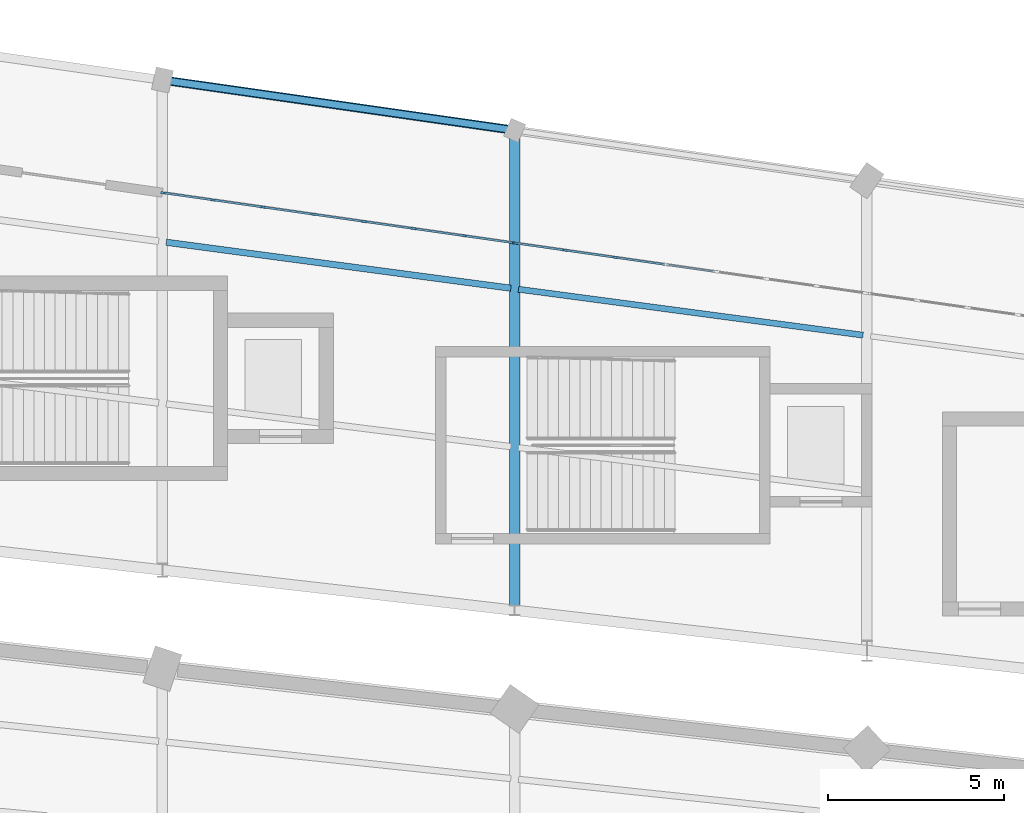
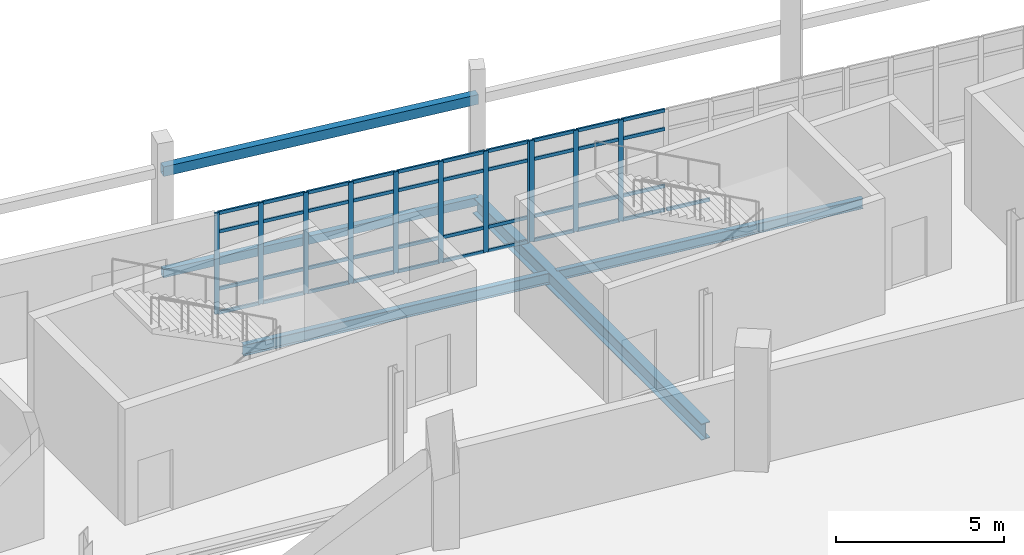
# One storey, part 60 of 122: 52 members, 5 beams, 2 elements without a shape of their own.
"""IFC4 building model written with IfcOpenShell, lengths in metres."""

from ifc_helpers import new_model, si_unit, direction, frame, origin, origin_2d, place, context, subcontext, project, spatial, rectangle, hollow_rectangle, i_section, extrude, material, layer, layer_set, material_profile, profile_set, type_object, element, aggregate, save


model = new_model("IFC4")

# Units and contexts
model_context = context("Model", 3, precision=1e-05, world=origin(), true_north=direction((0.0, 1.0)))
body_context = subcontext(model_context, "Body", "Model", "MODEL_VIEW")
ifc_project = project(units=[si_unit("LENGTHUNIT", "METRE"), si_unit("AREAUNIT", "SQUARE_METRE"), si_unit("VOLUMEUNIT", "CUBIC_METRE"), si_unit("PLANEANGLEUNIT", "RADIAN"), si_unit("MASSUNIT", "GRAM", prefix="KILO")], contexts=[model_context])

# Site, building, storey
site_placement = place(None, origin())
site = spatial("IfcSite", under=ifc_project, at=site_placement, CompositionType="ELEMENT")
building_placement = place(site_placement, origin())
building = spatial("IfcBuilding", under=site, at=building_placement, Name="Sohan Crest Arena", CompositionType="ELEMENT")
storey_placement = place(building_placement, origin())
storey = spatial("IfcBuildingStorey", under=building, at=storey_placement, Name="L00", CompositionType="ELEMENT", Elevation=0.0)

# Curtain wall, members
ifc_material_1 = material(Name="Thermally broken anodised aluminium", Category="aluminium")
ifc_layer = layer(ifc_material_1, 0.179931640625, Name="Thermally broken anodised aluminium")
ifc_layer_set = layer_set([ifc_layer], Name="Thermally broken anodised aluminium")
curtain_wall_type = type_object("IfcCurtainWallType", Name="ARC-CW01", PredefinedType="NOTDEFINED", material=ifc_layer_set)
curtain_wall_1_placement = place(storey_placement, origin())
curtain_wall_1 = element("IfcCurtainWall", 1, at=curtain_wall_1_placement, inside=storey, type_object=curtain_wall_type, Name="Unitised curtain wall CW-018", PredefinedType="NOTDEFINED")
ifc_material_profile_1 = material_profile(ifc_material_1, rectangle(XDim=0.06005859375, YDim=0.159912109375, at=origin_2d()), Name="ALU-MULL 60x160")
ifc_profile_set_1 = profile_set([ifc_material_profile_1], Name="Thermally broken anodised aluminium")
member_type_1 = type_object("IfcMemberType", Name="ARC-CW-ML01", PredefinedType="MULLION", material=ifc_profile_set_1)
member_1_placement = place(storey_placement, frame((120.857177734375, 119.53466796875, 0.0), z_axis=(0.0, 0.0, 1.0), x_axis=(-0.141462933734, -0.989943553128, 0.0)))
member_1 = element("IfcMember", 2, at=member_1_placement, type_object=member_type_1, Name="CW-018 mullion 6", PredefinedType="MULLION", context=body_context, shape_type="SweptSolid", body=[
    extrude(rectangle(XDim=0.06005859375, YDim=0.159912109375, at=origin_2d()), origin(), (0.0, 0.0, 1.0), 3.679931640625),
])
member_2_placement = place(storey_placement, frame((119.428466796875, 119.73876953125, 0.0), z_axis=(0.0, 0.0, 1.0), x_axis=(-0.141462933734, -0.989943553128, 0.0)))
member_2 = element("IfcMember", 3, at=member_2_placement, type_object=member_type_1, Name="CW-018 mullion 7", PredefinedType="MULLION", context=body_context, shape_type="SweptSolid", body=[
    extrude(rectangle(XDim=0.06005859375, YDim=0.159912109375, at=origin_2d()), origin(), (0.0, 0.0, 1.0), 3.679931640625),
])
member_3_placement = place(storey_placement, frame((118.02978515625, 119.938720703125, 0.0), z_axis=(0.0, 0.0, 1.0), x_axis=(-0.141462933734, -0.989943553128, 0.0)))
member_3 = element("IfcMember", 4, at=member_3_placement, type_object=member_type_1, Name="CW-018 mullion 8", PredefinedType="MULLION", context=body_context, shape_type="SweptSolid", body=[
    extrude(rectangle(XDim=0.06005859375, YDim=0.159912109375, at=origin_2d()), origin(), (0.0, 0.0, 1.0), 3.679931640625),
])

curtain_wall_2_placement = place(storey_placement, origin())
curtain_wall_2 = element("IfcCurtainWall", 5, at=curtain_wall_2_placement, inside=storey, type_object=curtain_wall_type, Name="Unitised curtain wall CW-019", PredefinedType="NOTDEFINED")
member_4_placement = place(storey_placement, frame((117.97021484375, 119.947265625, 0.0), z_axis=(0.0, 0.0, 1.0), x_axis=(-0.141365918403, -0.989957411768, 0.0)))
member_4 = element("IfcMember", 6, at=member_4_placement, type_object=member_type_1, Name="CW-019 mullion 1", PredefinedType="MULLION", context=body_context, shape_type="SweptSolid", body=[
    extrude(rectangle(XDim=0.06005859375, YDim=0.159912109375, at=origin_2d()), origin(), (0.0, 0.0, 1.0), 3.679931640625),
])
member_5_placement = place(storey_placement, frame((116.571533203125, 120.14697265625, 0.0), z_axis=(0.0, 0.0, 1.0), x_axis=(-0.141365918403, -0.989957411768, 0.0)))
member_5 = element("IfcMember", 7, at=member_5_placement, type_object=member_type_1, Name="CW-019 mullion 2", PredefinedType="MULLION", context=body_context, shape_type="SweptSolid", body=[
    extrude(rectangle(XDim=0.06005859375, YDim=0.159912109375, at=origin_2d()), origin(), (0.0, 0.0, 1.0), 3.679931640625),
])
member_6_placement = place(storey_placement, frame((115.142822265625, 120.35107421875, 0.0), z_axis=(0.0, 0.0, 1.0), x_axis=(-0.141365918403, -0.989957411768, 0.0)))
member_6 = element("IfcMember", 8, at=member_6_placement, type_object=member_type_1, Name="CW-019 mullion 3", PredefinedType="MULLION", context=body_context, shape_type="SweptSolid", body=[
    extrude(rectangle(XDim=0.06005859375, YDim=0.159912109375, at=origin_2d()), origin(), (0.0, 0.0, 1.0), 3.679931640625),
])
member_7_placement = place(storey_placement, frame((113.71435546875, 120.554931640625, 0.0), z_axis=(0.0, 0.0, 1.0), x_axis=(-0.141365918403, -0.989957411768, 0.0)))
member_7 = element("IfcMember", 9, at=member_7_placement, type_object=member_type_1, Name="CW-019 mullion 4", PredefinedType="MULLION", context=body_context, shape_type="SweptSolid", body=[
    extrude(rectangle(XDim=0.06005859375, YDim=0.159912109375, at=origin_2d()), origin(), (0.0, 0.0, 1.0), 3.679931640625),
])
member_8_placement = place(storey_placement, frame((112.28564453125, 120.759033203125, 0.0), z_axis=(0.0, 0.0, 1.0), x_axis=(-0.141365918403, -0.989957411768, 0.0)))
member_8 = element("IfcMember", 10, at=member_8_placement, type_object=member_type_1, Name="CW-019 mullion 5", PredefinedType="MULLION", context=body_context, shape_type="SweptSolid", body=[
    extrude(rectangle(XDim=0.06005859375, YDim=0.159912109375, at=origin_2d()), origin(), (0.0, 0.0, 1.0), 3.679931640625),
])
member_9_placement = place(storey_placement, frame((110.857177734375, 120.962890625, 0.0), z_axis=(0.0, 0.0, 1.0), x_axis=(-0.141365918403, -0.989957411768, 0.0)))
member_9 = element("IfcMember", 11, at=member_9_placement, type_object=member_type_1, Name="CW-019 mullion 6", PredefinedType="MULLION", context=body_context, shape_type="SweptSolid", body=[
    extrude(rectangle(XDim=0.06005859375, YDim=0.159912109375, at=origin_2d()), origin(), (0.0, 0.0, 1.0), 3.679931640625),
])
member_10_placement = place(storey_placement, frame((109.428466796875, 121.1669921875, 0.0), z_axis=(0.0, 0.0, 1.0), x_axis=(-0.141365918403, -0.989957411768, 0.0)))
member_10 = element("IfcMember", 12, at=member_10_placement, type_object=member_type_1, Name="CW-019 mullion 7", PredefinedType="MULLION", context=body_context, shape_type="SweptSolid", body=[
    extrude(rectangle(XDim=0.06005859375, YDim=0.159912109375, at=origin_2d()), origin(), (0.0, 0.0, 1.0), 3.679931640625),
])
member_11_placement = place(storey_placement, frame((108.02978515625, 121.36669921875, 0.0), z_axis=(0.0, 0.0, 1.0), x_axis=(-0.141365918403, -0.989957411768, 0.0)))
member_11 = element("IfcMember", 13, at=member_11_placement, type_object=member_type_1, Name="CW-019 mullion 8", PredefinedType="MULLION", context=body_context, shape_type="SweptSolid", body=[
    extrude(rectangle(XDim=0.06005859375, YDim=0.159912109375, at=origin_2d()), origin(), (0.0, 0.0, 1.0), 3.679931640625),
])

# Member
ifc_material_profile_2 = material_profile(ifc_material_1, rectangle(XDim=0.06005859375, YDim=0.1201171875, at=origin_2d()), Name="ALU-TRAN 60x120")
ifc_profile_set_2 = profile_set([ifc_material_profile_2], Name="Thermally broken anodised aluminium")
member_type_2 = type_object("IfcMemberType", Name="ARC-CW-TR01", PredefinedType="USERDEFINED", material=ifc_profile_set_2)
member_12_placement = place(storey_placement, frame((123.6845703125, 119.130615234375, 0.030029296875), z_axis=(-0.989928300068, 0.141569632071, 0.0), x_axis=(-0.141569632071, -0.989928300068, 0.0)))
member_12 = element("IfcMember", 14, at=member_12_placement, type_object=member_type_2, Name="CW-018 transom 4.1", ObjectType="TRANSOM", PredefinedType="USERDEFINED", context=body_context, shape_type="SweptSolid", body=[
    extrude(rectangle(XDim=0.06005859375, YDim=0.1201171875, at=origin_2d()), origin(), (0.0, 0.0, 1.0), 1.383056640625),
])

member_13_placement = place(storey_placement, frame((122.256103515625, 119.334716796875, 0.030029296875), z_axis=(-0.989928300068, 0.141569632071, 0.0), x_axis=(-0.141569632071, -0.989928300068, 0.0)))
member_13 = element("IfcMember", 15, at=member_13_placement, type_object=member_type_2, Name="CW-018 transom 5.1", ObjectType="TRANSOM", PredefinedType="USERDEFINED", context=body_context, shape_type="SweptSolid", body=[
    extrude(rectangle(XDim=0.06005859375, YDim=0.1201171875, at=origin_2d()), origin(), (0.0, 0.0, 1.0), 1.383056640625),
])

member_14_placement = place(storey_placement, frame((122.256103515625, 119.334716796875, 0.89990234375), z_axis=(-0.989928300068, 0.141569632071, 0.0), x_axis=(-0.141569632071, -0.989928300068, 0.0)))
member_14 = element("IfcMember", 16, at=member_14_placement, type_object=member_type_2, Name="CW-018 transom 5.2", ObjectType="TRANSOM", PredefinedType="USERDEFINED", context=body_context, shape_type="SweptSolid", body=[
    extrude(rectangle(XDim=0.06005859375, YDim=0.1201171875, at=origin_2d()), origin(), (0.0, 0.0, 1.0), 1.383056640625),
])

member_15_placement = place(storey_placement, frame((122.256103515625, 119.334716796875, 2.97998046875), z_axis=(-0.989928300068, 0.141569632071, 0.0), x_axis=(-0.141569632071, -0.989928300068, 0.0)))
member_15 = element("IfcMember", 17, at=member_15_placement, type_object=member_type_2, Name="CW-018 transom 5.3", ObjectType="TRANSOM", PredefinedType="USERDEFINED", context=body_context, shape_type="SweptSolid", body=[
    extrude(rectangle(XDim=0.06005859375, YDim=0.1201171875, at=origin_2d()), origin(), (0.0, 0.0, 1.0), 1.383056640625),
])

member_16_placement = place(storey_placement, frame((122.256103515625, 119.334716796875, 3.64990234375), z_axis=(-0.989928300068, 0.141569632071, 0.0), x_axis=(-0.141569632071, -0.989928300068, 0.0)))
member_16 = element("IfcMember", 18, at=member_16_placement, type_object=member_type_2, Name="CW-018 transom 5.4", ObjectType="TRANSOM", PredefinedType="USERDEFINED", context=body_context, shape_type="SweptSolid", body=[
    extrude(rectangle(XDim=0.06005859375, YDim=0.1201171875, at=origin_2d()), origin(), (0.0, 0.0, 1.0), 1.383056640625),
])

member_17_placement = place(storey_placement, frame((120.827392578125, 119.5390625, 0.030029296875), z_axis=(-0.989953023856, 0.141396642673, 0.0), x_axis=(-0.141396642673, -0.989953023856, 0.0)))
member_17 = element("IfcMember", 19, at=member_17_placement, type_object=member_type_2, Name="CW-018 transom 6.1", ObjectType="TRANSOM", PredefinedType="USERDEFINED", context=body_context, shape_type="SweptSolid", body=[
    extrude(rectangle(XDim=0.06005859375, YDim=0.1201171875, at=origin_2d()), origin(), (0.0, 0.0, 1.0), 1.383056640625),
])

member_18_placement = place(storey_placement, frame((120.827392578125, 119.5390625, 0.89990234375), z_axis=(-0.989953023856, 0.141396642673, 0.0), x_axis=(-0.141396642673, -0.989953023856, 0.0)))
member_18 = element("IfcMember", 20, at=member_18_placement, type_object=member_type_2, Name="CW-018 transom 6.2", ObjectType="TRANSOM", PredefinedType="USERDEFINED", context=body_context, shape_type="SweptSolid", body=[
    extrude(rectangle(XDim=0.06005859375, YDim=0.1201171875, at=origin_2d()), origin(), (0.0, 0.0, 1.0), 1.383056640625),
])

member_19_placement = place(storey_placement, frame((120.827392578125, 119.5390625, 2.97998046875), z_axis=(-0.989953023856, 0.141396642673, 0.0), x_axis=(-0.141396642673, -0.989953023856, 0.0)))
member_19 = element("IfcMember", 21, at=member_19_placement, type_object=member_type_2, Name="CW-018 transom 6.3", ObjectType="TRANSOM", PredefinedType="USERDEFINED", context=body_context, shape_type="SweptSolid", body=[
    extrude(rectangle(XDim=0.06005859375, YDim=0.1201171875, at=origin_2d()), origin(), (0.0, 0.0, 1.0), 1.383056640625),
])

member_20_placement = place(storey_placement, frame((120.827392578125, 119.5390625, 3.64990234375), z_axis=(-0.989953023856, 0.141396642673, 0.0), x_axis=(-0.141396642673, -0.989953023856, 0.0)))
member_20 = element("IfcMember", 22, at=member_20_placement, type_object=member_type_2, Name="CW-018 transom 6.4", ObjectType="TRANSOM", PredefinedType="USERDEFINED", context=body_context, shape_type="SweptSolid", body=[
    extrude(rectangle(XDim=0.06005859375, YDim=0.1201171875, at=origin_2d()), origin(), (0.0, 0.0, 1.0), 1.383056640625),
])

member_21_placement = place(storey_placement, frame((119.39892578125, 119.7431640625, 0.030029296875), z_axis=(-0.989945885007, 0.141446614515, 0.0), x_axis=(-0.141446614515, -0.989945885007, 0.0)))
member_21 = element("IfcMember", 23, at=member_21_placement, type_object=member_type_2, Name="CW-018 transom 7.1", ObjectType="TRANSOM", PredefinedType="USERDEFINED", context=body_context, shape_type="SweptSolid", body=[
    extrude(rectangle(XDim=0.06005859375, YDim=0.1201171875, at=origin_2d()), origin(), (0.0, 0.0, 1.0), 1.353271484375),
])

member_22_placement = place(storey_placement, frame((119.39892578125, 119.7431640625, 0.89990234375), z_axis=(-0.989945885007, 0.141446614515, 0.0), x_axis=(-0.141446614515, -0.989945885007, 0.0)))
member_22 = element("IfcMember", 24, at=member_22_placement, type_object=member_type_2, Name="CW-018 transom 7.2", ObjectType="TRANSOM", PredefinedType="USERDEFINED", context=body_context, shape_type="SweptSolid", body=[
    extrude(rectangle(XDim=0.06005859375, YDim=0.1201171875, at=origin_2d()), origin(), (0.0, 0.0, 1.0), 1.353271484375),
])

member_23_placement = place(storey_placement, frame((119.39892578125, 119.7431640625, 2.97998046875), z_axis=(-0.989945885007, 0.141446614515, 0.0), x_axis=(-0.141446614515, -0.989945885007, 0.0)))
member_23 = element("IfcMember", 25, at=member_23_placement, type_object=member_type_2, Name="CW-018 transom 7.3", ObjectType="TRANSOM", PredefinedType="USERDEFINED", context=body_context, shape_type="SweptSolid", body=[
    extrude(rectangle(XDim=0.06005859375, YDim=0.1201171875, at=origin_2d()), origin(), (0.0, 0.0, 1.0), 1.353271484375),
])

member_24_placement = place(storey_placement, frame((119.39892578125, 119.7431640625, 3.64990234375), z_axis=(-0.989945885007, 0.141446614515, 0.0), x_axis=(-0.141446614515, -0.989945885007, 0.0)))
member_24 = element("IfcMember", 26, at=member_24_placement, type_object=member_type_2, Name="CW-018 transom 7.4", ObjectType="TRANSOM", PredefinedType="USERDEFINED", context=body_context, shape_type="SweptSolid", body=[
    extrude(rectangle(XDim=0.06005859375, YDim=0.1201171875, at=origin_2d()), origin(), (0.0, 0.0, 1.0), 1.353271484375),
])

aggregate(curtain_wall_1, [member_1, member_2, member_3, member_12, member_13, member_14, member_15, member_16, member_17, member_18, member_19, member_20, member_21, member_22, member_23, member_24])

member_25_placement = place(storey_placement, frame((117.940673828125, 119.951416015625, 0.030029296875), z_axis=(-0.989945885007, 0.141446614515, 0.0), x_axis=(-0.141446614515, -0.989945885007, 0.0)))
member_25 = element("IfcMember", 27, at=member_25_placement, type_object=member_type_2, Name="CW-019 transom 1.1", ObjectType="TRANSOM", PredefinedType="USERDEFINED", context=body_context, shape_type="SweptSolid", body=[
    extrude(rectangle(XDim=0.06005859375, YDim=0.1201171875, at=origin_2d()), origin(), (0.0, 0.0, 1.0), 1.353271484375),
])

member_26_placement = place(storey_placement, frame((117.940673828125, 119.951416015625, 0.89990234375), z_axis=(-0.989945885007, 0.141446614515, 0.0), x_axis=(-0.141446614515, -0.989945885007, 0.0)))
member_26 = element("IfcMember", 28, at=member_26_placement, type_object=member_type_2, Name="CW-019 transom 1.2", ObjectType="TRANSOM", PredefinedType="USERDEFINED", context=body_context, shape_type="SweptSolid", body=[
    extrude(rectangle(XDim=0.06005859375, YDim=0.1201171875, at=origin_2d()), origin(), (0.0, 0.0, 1.0), 1.353271484375),
])

member_27_placement = place(storey_placement, frame((117.940673828125, 119.951416015625, 2.97998046875), z_axis=(-0.989945885007, 0.141446614515, 0.0), x_axis=(-0.141446614515, -0.989945885007, 0.0)))
member_27 = element("IfcMember", 29, at=member_27_placement, type_object=member_type_2, Name="CW-019 transom 1.3", ObjectType="TRANSOM", PredefinedType="USERDEFINED", context=body_context, shape_type="SweptSolid", body=[
    extrude(rectangle(XDim=0.06005859375, YDim=0.1201171875, at=origin_2d()), origin(), (0.0, 0.0, 1.0), 1.353271484375),
])

member_28_placement = place(storey_placement, frame((117.940673828125, 119.951416015625, 3.64990234375), z_axis=(-0.989945885007, 0.141446614515, 0.0), x_axis=(-0.141446614515, -0.989945885007, 0.0)))
member_28 = element("IfcMember", 30, at=member_28_placement, type_object=member_type_2, Name="CW-019 transom 1.4", ObjectType="TRANSOM", PredefinedType="USERDEFINED", context=body_context, shape_type="SweptSolid", body=[
    extrude(rectangle(XDim=0.06005859375, YDim=0.1201171875, at=origin_2d()), origin(), (0.0, 0.0, 1.0), 1.353271484375),
])

member_29_placement = place(storey_placement, frame((116.541748046875, 120.151123046875, 0.030029296875), z_axis=(-0.989953023856, 0.141396642673, 0.0), x_axis=(-0.141396642673, -0.989953023856, 0.0)))
member_29 = element("IfcMember", 31, at=member_29_placement, type_object=member_type_2, Name="CW-019 transom 2.1", ObjectType="TRANSOM", PredefinedType="USERDEFINED", context=body_context, shape_type="SweptSolid", body=[
    extrude(rectangle(XDim=0.06005859375, YDim=0.1201171875, at=origin_2d()), origin(), (0.0, 0.0, 1.0), 1.383056640625),
])

member_30_placement = place(storey_placement, frame((116.541748046875, 120.151123046875, 0.89990234375), z_axis=(-0.989953023856, 0.141396642673, 0.0), x_axis=(-0.141396642673, -0.989953023856, 0.0)))
member_30 = element("IfcMember", 32, at=member_30_placement, type_object=member_type_2, Name="CW-019 transom 2.2", ObjectType="TRANSOM", PredefinedType="USERDEFINED", context=body_context, shape_type="SweptSolid", body=[
    extrude(rectangle(XDim=0.06005859375, YDim=0.1201171875, at=origin_2d()), origin(), (0.0, 0.0, 1.0), 1.383056640625),
])

member_31_placement = place(storey_placement, frame((116.541748046875, 120.151123046875, 2.97998046875), z_axis=(-0.989953023856, 0.141396642673, 0.0), x_axis=(-0.141396642673, -0.989953023856, 0.0)))
member_31 = element("IfcMember", 33, at=member_31_placement, type_object=member_type_2, Name="CW-019 transom 2.3", ObjectType="TRANSOM", PredefinedType="USERDEFINED", context=body_context, shape_type="SweptSolid", body=[
    extrude(rectangle(XDim=0.06005859375, YDim=0.1201171875, at=origin_2d()), origin(), (0.0, 0.0, 1.0), 1.383056640625),
])

member_32_placement = place(storey_placement, frame((116.541748046875, 120.151123046875, 3.64990234375), z_axis=(-0.989953023856, 0.141396642673, 0.0), x_axis=(-0.141396642673, -0.989953023856, 0.0)))
member_32 = element("IfcMember", 34, at=member_32_placement, type_object=member_type_2, Name="CW-019 transom 2.4", ObjectType="TRANSOM", PredefinedType="USERDEFINED", context=body_context, shape_type="SweptSolid", body=[
    extrude(rectangle(XDim=0.06005859375, YDim=0.1201171875, at=origin_2d()), origin(), (0.0, 0.0, 1.0), 1.383056640625),
])

member_33_placement = place(storey_placement, frame((115.113037109375, 120.355224609375, 0.030029296875), z_axis=(-0.989953023856, 0.141396642673, 0.0), x_axis=(-0.141396642673, -0.989953023856, 0.0)))
member_33 = element("IfcMember", 35, at=member_33_placement, type_object=member_type_2, Name="CW-019 transom 3.1", ObjectType="TRANSOM", PredefinedType="USERDEFINED", context=body_context, shape_type="SweptSolid", body=[
    extrude(rectangle(XDim=0.06005859375, YDim=0.1201171875, at=origin_2d()), origin(), (0.0, 0.0, 1.0), 1.383056640625),
])

member_34_placement = place(storey_placement, frame((115.113037109375, 120.355224609375, 0.89990234375), z_axis=(-0.989953023856, 0.141396642673, 0.0), x_axis=(-0.141396642673, -0.989953023856, 0.0)))
member_34 = element("IfcMember", 36, at=member_34_placement, type_object=member_type_2, Name="CW-019 transom 3.2", ObjectType="TRANSOM", PredefinedType="USERDEFINED", context=body_context, shape_type="SweptSolid", body=[
    extrude(rectangle(XDim=0.06005859375, YDim=0.1201171875, at=origin_2d()), origin(), (0.0, 0.0, 1.0), 1.383056640625),
])

member_35_placement = place(storey_placement, frame((115.113037109375, 120.355224609375, 2.97998046875), z_axis=(-0.989953023856, 0.141396642673, 0.0), x_axis=(-0.141396642673, -0.989953023856, 0.0)))
member_35 = element("IfcMember", 37, at=member_35_placement, type_object=member_type_2, Name="CW-019 transom 3.3", ObjectType="TRANSOM", PredefinedType="USERDEFINED", context=body_context, shape_type="SweptSolid", body=[
    extrude(rectangle(XDim=0.06005859375, YDim=0.1201171875, at=origin_2d()), origin(), (0.0, 0.0, 1.0), 1.383056640625),
])

member_36_placement = place(storey_placement, frame((115.113037109375, 120.355224609375, 3.64990234375), z_axis=(-0.989953023856, 0.141396642673, 0.0), x_axis=(-0.141396642673, -0.989953023856, 0.0)))
member_36 = element("IfcMember", 38, at=member_36_placement, type_object=member_type_2, Name="CW-019 transom 3.4", ObjectType="TRANSOM", PredefinedType="USERDEFINED", context=body_context, shape_type="SweptSolid", body=[
    extrude(rectangle(XDim=0.06005859375, YDim=0.1201171875, at=origin_2d()), origin(), (0.0, 0.0, 1.0), 1.383056640625),
])

member_37_placement = place(storey_placement, frame((113.6845703125, 120.559326171875, 0.030029296875), z_axis=(-0.989977718646, 0.14122364032, 0.0), x_axis=(-0.14122364032, -0.989977718646, 0.0)))
member_37 = element("IfcMember", 39, at=member_37_placement, type_object=member_type_2, Name="CW-019 transom 4.1", ObjectType="TRANSOM", PredefinedType="USERDEFINED", context=body_context, shape_type="SweptSolid", body=[
    extrude(rectangle(XDim=0.06005859375, YDim=0.1201171875, at=origin_2d()), origin(), (0.0, 0.0, 1.0), 1.383056640625),
])

member_38_placement = place(storey_placement, frame((113.6845703125, 120.559326171875, 0.89990234375), z_axis=(-0.989977718646, 0.14122364032, 0.0), x_axis=(-0.14122364032, -0.989977718646, 0.0)))
member_38 = element("IfcMember", 40, at=member_38_placement, type_object=member_type_2, Name="CW-019 transom 4.2", ObjectType="TRANSOM", PredefinedType="USERDEFINED", context=body_context, shape_type="SweptSolid", body=[
    extrude(rectangle(XDim=0.06005859375, YDim=0.1201171875, at=origin_2d()), origin(), (0.0, 0.0, 1.0), 1.383056640625),
])

member_39_placement = place(storey_placement, frame((113.6845703125, 120.559326171875, 2.97998046875), z_axis=(-0.989977718646, 0.14122364032, 0.0), x_axis=(-0.14122364032, -0.989977718646, 0.0)))
member_39 = element("IfcMember", 41, at=member_39_placement, type_object=member_type_2, Name="CW-019 transom 4.3", ObjectType="TRANSOM", PredefinedType="USERDEFINED", context=body_context, shape_type="SweptSolid", body=[
    extrude(rectangle(XDim=0.06005859375, YDim=0.1201171875, at=origin_2d()), origin(), (0.0, 0.0, 1.0), 1.383056640625),
])

member_40_placement = place(storey_placement, frame((113.6845703125, 120.559326171875, 3.64990234375), z_axis=(-0.989977718646, 0.14122364032, 0.0), x_axis=(-0.14122364032, -0.989977718646, 0.0)))
member_40 = element("IfcMember", 42, at=member_40_placement, type_object=member_type_2, Name="CW-019 transom 4.4", ObjectType="TRANSOM", PredefinedType="USERDEFINED", context=body_context, shape_type="SweptSolid", body=[
    extrude(rectangle(XDim=0.06005859375, YDim=0.1201171875, at=origin_2d()), origin(), (0.0, 0.0, 1.0), 1.383056640625),
])

member_41_placement = place(storey_placement, frame((112.256103515625, 120.76318359375, 0.030029296875), z_axis=(-0.989953023856, 0.141396642673, 0.0), x_axis=(-0.141396642673, -0.989953023856, 0.0)))
member_41 = element("IfcMember", 43, at=member_41_placement, type_object=member_type_2, Name="CW-019 transom 5.1", ObjectType="TRANSOM", PredefinedType="USERDEFINED", context=body_context, shape_type="SweptSolid", body=[
    extrude(rectangle(XDim=0.06005859375, YDim=0.1201171875, at=origin_2d()), origin(), (0.0, 0.0, 1.0), 1.383056640625),
])

member_42_placement = place(storey_placement, frame((112.256103515625, 120.76318359375, 0.89990234375), z_axis=(-0.989953023856, 0.141396642673, 0.0), x_axis=(-0.141396642673, -0.989953023856, 0.0)))
member_42 = element("IfcMember", 44, at=member_42_placement, type_object=member_type_2, Name="CW-019 transom 5.2", ObjectType="TRANSOM", PredefinedType="USERDEFINED", context=body_context, shape_type="SweptSolid", body=[
    extrude(rectangle(XDim=0.06005859375, YDim=0.1201171875, at=origin_2d()), origin(), (0.0, 0.0, 1.0), 1.383056640625),
])

member_43_placement = place(storey_placement, frame((112.256103515625, 120.76318359375, 2.97998046875), z_axis=(-0.989953023856, 0.141396642673, 0.0), x_axis=(-0.141396642673, -0.989953023856, 0.0)))
member_43 = element("IfcMember", 45, at=member_43_placement, type_object=member_type_2, Name="CW-019 transom 5.3", ObjectType="TRANSOM", PredefinedType="USERDEFINED", context=body_context, shape_type="SweptSolid", body=[
    extrude(rectangle(XDim=0.06005859375, YDim=0.1201171875, at=origin_2d()), origin(), (0.0, 0.0, 1.0), 1.383056640625),
])

member_44_placement = place(storey_placement, frame((112.256103515625, 120.76318359375, 3.64990234375), z_axis=(-0.989953023856, 0.141396642673, 0.0), x_axis=(-0.141396642673, -0.989953023856, 0.0)))
member_44 = element("IfcMember", 46, at=member_44_placement, type_object=member_type_2, Name="CW-019 transom 5.4", ObjectType="TRANSOM", PredefinedType="USERDEFINED", context=body_context, shape_type="SweptSolid", body=[
    extrude(rectangle(XDim=0.06005859375, YDim=0.1201171875, at=origin_2d()), origin(), (0.0, 0.0, 1.0), 1.383056640625),
])

member_45_placement = place(storey_placement, frame((110.827392578125, 120.96728515625, 0.030029296875), z_axis=(-0.989953023856, 0.141396642673, 0.0), x_axis=(-0.141396642673, -0.989953023856, 0.0)))
member_45 = element("IfcMember", 47, at=member_45_placement, type_object=member_type_2, Name="CW-019 transom 6.1", ObjectType="TRANSOM", PredefinedType="USERDEFINED", context=body_context, shape_type="SweptSolid", body=[
    extrude(rectangle(XDim=0.06005859375, YDim=0.1201171875, at=origin_2d()), origin(), (0.0, 0.0, 1.0), 1.383056640625),
])

member_46_placement = place(storey_placement, frame((110.827392578125, 120.96728515625, 0.89990234375), z_axis=(-0.989953023856, 0.141396642673, 0.0), x_axis=(-0.141396642673, -0.989953023856, 0.0)))
member_46 = element("IfcMember", 48, at=member_46_placement, type_object=member_type_2, Name="CW-019 transom 6.2", ObjectType="TRANSOM", PredefinedType="USERDEFINED", context=body_context, shape_type="SweptSolid", body=[
    extrude(rectangle(XDim=0.06005859375, YDim=0.1201171875, at=origin_2d()), origin(), (0.0, 0.0, 1.0), 1.383056640625),
])

member_47_placement = place(storey_placement, frame((110.827392578125, 120.96728515625, 2.97998046875), z_axis=(-0.989953023856, 0.141396642673, 0.0), x_axis=(-0.141396642673, -0.989953023856, 0.0)))
member_47 = element("IfcMember", 49, at=member_47_placement, type_object=member_type_2, Name="CW-019 transom 6.3", ObjectType="TRANSOM", PredefinedType="USERDEFINED", context=body_context, shape_type="SweptSolid", body=[
    extrude(rectangle(XDim=0.06005859375, YDim=0.1201171875, at=origin_2d()), origin(), (0.0, 0.0, 1.0), 1.383056640625),
])

member_48_placement = place(storey_placement, frame((110.827392578125, 120.96728515625, 3.64990234375), z_axis=(-0.989953023856, 0.141396642673, 0.0), x_axis=(-0.141396642673, -0.989953023856, 0.0)))
member_48 = element("IfcMember", 50, at=member_48_placement, type_object=member_type_2, Name="CW-019 transom 6.4", ObjectType="TRANSOM", PredefinedType="USERDEFINED", context=body_context, shape_type="SweptSolid", body=[
    extrude(rectangle(XDim=0.06005859375, YDim=0.1201171875, at=origin_2d()), origin(), (0.0, 0.0, 1.0), 1.383056640625),
])

member_49_placement = place(storey_placement, frame((109.39892578125, 121.171142578125, 0.030029296875), z_axis=(-0.989945885007, 0.141446614515, 0.0), x_axis=(-0.141446614515, -0.989945885007, 0.0)))
member_49 = element("IfcMember", 51, at=member_49_placement, type_object=member_type_2, Name="CW-019 transom 7.1", ObjectType="TRANSOM", PredefinedType="USERDEFINED", context=body_context, shape_type="SweptSolid", body=[
    extrude(rectangle(XDim=0.06005859375, YDim=0.1201171875, at=origin_2d()), origin(), (0.0, 0.0, 1.0), 1.353271484375),
])

member_50_placement = place(storey_placement, frame((109.39892578125, 121.171142578125, 0.89990234375), z_axis=(-0.989945885007, 0.141446614515, 0.0), x_axis=(-0.141446614515, -0.989945885007, 0.0)))
member_50 = element("IfcMember", 52, at=member_50_placement, type_object=member_type_2, Name="CW-019 transom 7.2", ObjectType="TRANSOM", PredefinedType="USERDEFINED", context=body_context, shape_type="SweptSolid", body=[
    extrude(rectangle(XDim=0.06005859375, YDim=0.1201171875, at=origin_2d()), origin(), (0.0, 0.0, 1.0), 1.353271484375),
])

member_51_placement = place(storey_placement, frame((109.39892578125, 121.171142578125, 2.97998046875), z_axis=(-0.989945885007, 0.141446614515, 0.0), x_axis=(-0.141446614515, -0.989945885007, 0.0)))
member_51 = element("IfcMember", 53, at=member_51_placement, type_object=member_type_2, Name="CW-019 transom 7.3", ObjectType="TRANSOM", PredefinedType="USERDEFINED", context=body_context, shape_type="SweptSolid", body=[
    extrude(rectangle(XDim=0.06005859375, YDim=0.1201171875, at=origin_2d()), origin(), (0.0, 0.0, 1.0), 1.353271484375),
])

member_52_placement = place(storey_placement, frame((109.39892578125, 121.171142578125, 3.64990234375), z_axis=(-0.989945885007, 0.141446614515, 0.0), x_axis=(-0.141446614515, -0.989945885007, 0.0)))
member_52 = element("IfcMember", 54, at=member_52_placement, type_object=member_type_2, Name="CW-019 transom 7.4", ObjectType="TRANSOM", PredefinedType="USERDEFINED", context=body_context, shape_type="SweptSolid", body=[
    extrude(rectangle(XDim=0.06005859375, YDim=0.1201171875, at=origin_2d()), origin(), (0.0, 0.0, 1.0), 1.353271484375),
])

aggregate(curtain_wall_2, [member_4, member_5, member_6, member_7, member_8, member_9, member_10, member_11, member_25, member_26, member_27, member_28, member_29, member_30, member_31, member_32, member_33, member_34, member_35, member_36, member_37, member_38, member_39, member_40, member_41, member_42, member_43, member_44, member_45, member_46, member_47, member_48, member_49, member_50, member_51, member_52])

# Beams
ifc_material_2 = material(Name="Steel S355", Category="steel")
ifc_material_profile_3 = material_profile(ifc_material_2, i_section(OverallWidth=0.169921875, OverallDepth=0.360107421875, WebThickness=0.008056640625, FlangeThickness=0.0126953125, at=origin_2d()), Name="IPE 360")
ifc_profile_set_3 = profile_set([ifc_material_profile_3], Name="Steel S355")
beam_type_1 = type_object("IfcBeamType", Name="STR-BM-B02", PredefinedType="JOIST", material=ifc_profile_set_3)
beam_1_placement = place(storey_placement, frame((127.89111328125, 117.325927734375, -0.455078125), z_axis=(-0.991232437337, 0.132129690721, 0.0), x_axis=(-0.132129690721, -0.991232437337, 0.0)))
element("IfcBeam", 55, at=beam_1_placement, inside=storey, type_object=beam_type_1, Name="Structural beam J-L00-1078", PredefinedType="JOIST", context=body_context, shape_type="SweptSolid", body=[
    extrude(i_section(OverallWidth=0.169921875, OverallDepth=0.360107421875, WebThickness=0.008056640625, FlangeThickness=0.0126953125, at=origin_2d()), origin(), (0.0, 0.0, 1.0), 9.86865234375),
])
ifc_material_profile_4 = material_profile(ifc_material_2, i_section(OverallWidth=0.179931640625, OverallDepth=0.39990234375, WebThickness=0.008544921875, FlangeThickness=0.013427734375, at=origin_2d()), Name="IPE 400")
ifc_profile_set_4 = profile_set([ifc_material_profile_4], Name="Steel S355")
beam_type_2 = type_object("IfcBeamType", Name="STR-BM-B03", PredefinedType="JOIST", material=ifc_profile_set_4)
beam_2_placement = place(storey_placement, frame((117.89111328125, 118.659912109375, -0.47509765625), z_axis=(-0.991229196985, 0.132153997462, 0.0), x_axis=(-0.132153997462, -0.991229196985, 0.0)))
element("IfcBeam", 56, at=beam_2_placement, inside=storey, type_object=beam_type_2, Name="Structural beam J-L00-1084", PredefinedType="JOIST", context=body_context, shape_type="SweptSolid", body=[
    extrude(i_section(OverallWidth=0.179931640625, OverallDepth=0.39990234375, WebThickness=0.008544921875, FlangeThickness=0.013427734375, at=origin_2d()), origin(), (0.0, 0.0, 1.0), 9.868896484375),
])
ifc_material_profile_5 = material_profile(ifc_material_2, i_section(OverallWidth=0.300048828125, OverallDepth=0.590087890625, WebThickness=0.012939453125, FlangeThickness=0.02490234375, at=origin_2d()), Name="HEA 600")
ifc_profile_set_5 = profile_set([ifc_material_profile_5], Name="Steel S355")
beam_type_3 = type_object("IfcBeamType", Name="STR-BM-B11", PredefinedType="BEAM", material=ifc_profile_set_5)
beam_3_placement = place(storey_placement, frame((118.0, 109.513916015625, -0.570068359375), z_axis=(0.0, 1.0, 0.0), x_axis=(-1.0, 0.0, 0.0)))
element("IfcBeam", 57, at=beam_3_placement, inside=storey, type_object=beam_type_3, Name="Structural beam G-L00-1079", PredefinedType="BEAM", context=body_context, shape_type="SweptSolid", body=[
    extrude(i_section(OverallWidth=0.300048828125, OverallDepth=0.590087890625, WebThickness=0.012939453125, FlangeThickness=0.02490234375, at=origin_2d()), origin(), (0.0, 0.0, 1.0), 13.629150390625),
])
ifc_material_profile_6 = material_profile(ifc_material_2, hollow_rectangle(XDim=0.199951171875, YDim=0.300048828125, WallThickness=0.010009765625, at=origin_2d()), Name="RHS 300x200x10")
ifc_profile_set_6 = profile_set([ifc_material_profile_6], Name="Steel S355")
beam_type_4 = type_object("IfcBeamType", Name="STR-BM-SP03", PredefinedType="SPANDREL", material=ifc_profile_set_6)
beam_4_placement = place(storey_placement, frame((118.0, 123.14306640625, -0.425048828125), z_axis=(-0.989957709412, 0.141363834042, 0.0), x_axis=(-0.141363834042, -0.989957709412, 0.0)))
element("IfcBeam", 58, at=beam_4_placement, inside=storey, type_object=beam_type_4, Name="Structural beam SP-L00-1081", PredefinedType="SPANDREL", context=body_context, shape_type="SweptSolid", body=[
    extrude(hollow_rectangle(XDim=0.199951171875, YDim=0.300048828125, WallThickness=0.010009765625, at=origin_2d()), origin(), (0.0, 0.0, 1.0), 10.1015625),
])
ifc_material_profile_7 = material_profile(ifc_material_2, hollow_rectangle(XDim=0.25, YDim=0.35009765625, WallThickness=0.012451171875, at=origin_2d()), Name="RHS 350x250x12.5")
ifc_profile_set_7 = profile_set([ifc_material_profile_7], Name="Steel S355")
beam_type_5 = type_object("IfcBeamType", Name="STR-BM-SP04", PredefinedType="SPANDREL", material=ifc_profile_set_7)
beam_5_placement = place(storey_placement, frame((118.0, 123.14306640625, 3.300048828125), z_axis=(-0.989957709412, 0.141363834042, 0.0), x_axis=(-0.141363834042, -0.989957709412, 0.0)))
element("IfcBeam", 59, at=beam_5_placement, inside=storey, type_object=beam_type_5, Name="Structural beam ARC-L00-1082", PredefinedType="SPANDREL", context=body_context, shape_type="SweptSolid", body=[
    extrude(hollow_rectangle(XDim=0.25, YDim=0.35009765625, WallThickness=0.012451171875, at=origin_2d()), origin(), (0.0, 0.0, 1.0), 10.1015625),
])

save(model, "model.ifc")
